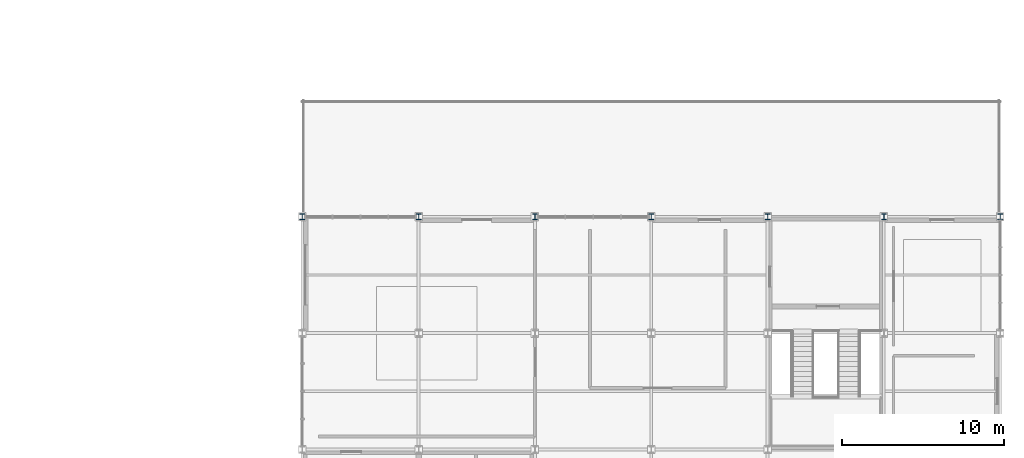
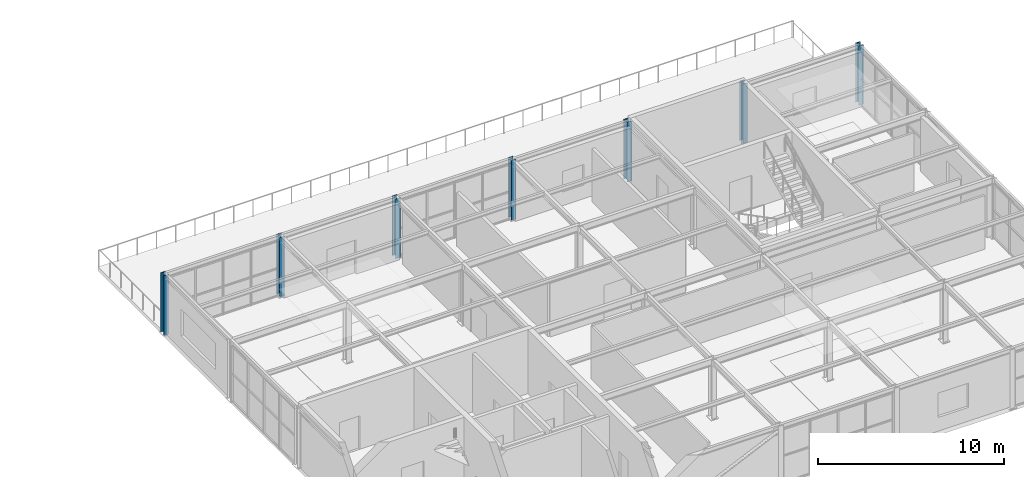
# One storey, part 6 of 30: 7 columns.
"""IFC4 building model written with IfcOpenShell, lengths in metres."""

from ifc_helpers import new_model, si_unit, direction, frame, origin, origin_2d, place, context, subcontext, project, spatial, i_section, extrude, material, material_profile, profile_set, type_object, element, save


model = new_model("IFC4")

# Units and contexts
model_context = context("Model", 3, precision=1e-05, world=origin(), true_north=direction((0.0, 1.0)))
body_context = subcontext(model_context, "Body", "Model", "MODEL_VIEW")
ifc_project = project(units=[si_unit("LENGTHUNIT", "METRE"), si_unit("AREAUNIT", "SQUARE_METRE"), si_unit("VOLUMEUNIT", "CUBIC_METRE"), si_unit("PLANEANGLEUNIT", "RADIAN"), si_unit("MASSUNIT", "GRAM", prefix="KILO")], contexts=[model_context])

# Site, building, storey
site_placement = place(None, origin())
site = spatial("IfcSite", under=ifc_project, at=site_placement, CompositionType="ELEMENT")
building_placement = place(site_placement, origin())
building = spatial("IfcBuilding", under=site, at=building_placement, Name="Leyfeld Transit Interchange", CompositionType="ELEMENT")
storey_placement = place(building_placement, frame((0.0, 0.0, 13.800048828125)))
storey = spatial("IfcBuildingStorey", under=building, at=storey_placement, Name="L03", CompositionType="ELEMENT", Elevation=13.800048828125)

# Columns
ifc_material = material(Name="Steel S355J2", Category="steel")
ifc_material_profile = material_profile(ifc_material, i_section(OverallWidth=0.300048828125, OverallDepth=0.360107421875, WebThickness=0.012451171875, FlangeThickness=0.0224609375, FilletRadius=0.027099609375, at=origin_2d()), Name="HEB 360")
ifc_profile_set = profile_set([ifc_material_profile], Name="Steel S355J2")
column_type = type_object("IfcColumnType", Name="COL-STL-HEB360", PredefinedType="COLUMN", material=ifc_profile_set)
for number, where, z_axis, x_axis, name in (
    (1, (136.800048828125, 86.39990234375, 0.0), (0.0, 0.0, 1.0), (1.0, 0.0, 0.0), "Column COL-L03-1368_0864"),
    (2, (144.0, 86.39990234375, 0.0), (0.0, 0.0, 1.0), (1.0, 0.0, 0.0), "Column COL-L03-1440_0864"),
    (3, (151.199951171875, 86.39990234375, 0.0), (0.0, 0.0, 1.0), (1.0, 0.0, 0.0), "Column COL-L03-1512_0864"),
    (4, (158.39990234375, 86.39990234375, 0.0), (0.0, 0.0, 1.0), (1.0, 0.0, 0.0), "Column COL-L03-1584_0864"),
    (5, (165.60009765625, 86.39990234375, 0.0), (0.0, 0.0, 1.0), (1.0, 0.0, 0.0), "Column COL-L03-1656_0864"),
    (6, (172.800048828125, 86.39990234375, 0.0), (0.0, 0.0, 1.0), (1.0, 0.0, 0.0), "Column COL-L03-1728_0864"),
):
    element("IfcColumn", number, at=place(storey_placement, frame(where, z_axis=z_axis, x_axis=x_axis)), inside=storey, type_object=column_type, Name=name, PredefinedType="COLUMN", context=body_context, shape_type="SweptSolid", body=[
        extrude(i_section(OverallWidth=0.300048828125, OverallDepth=0.360107421875, WebThickness=0.012451171875, FlangeThickness=0.0224609375, FilletRadius=0.027099609375, at=origin_2d()), origin(), (0.0, 0.0, 1.0), 3.919921875),
    ])
column_placement = place(storey_placement, frame((180.0, 86.39990234375, 0.0), z_axis=(0.0, 0.0, 1.0), x_axis=(1.0, 0.0, 0.0)))
element("IfcColumn", 7, at=column_placement, inside=storey, type_object=column_type, Name="Column COL-L03-1800_0864", PredefinedType="COLUMN", context=body_context, shape_type="SweptSolid", body=[
    extrude(i_section(OverallWidth=0.300048828125, OverallDepth=0.360107421875, WebThickness=0.012451171875, FlangeThickness=0.0224609375, FilletRadius=0.027099609375, at=origin_2d()), origin(), (0.0, 0.0, 1.0), 3.89990234375),
])

save(model, "model.ifc")
